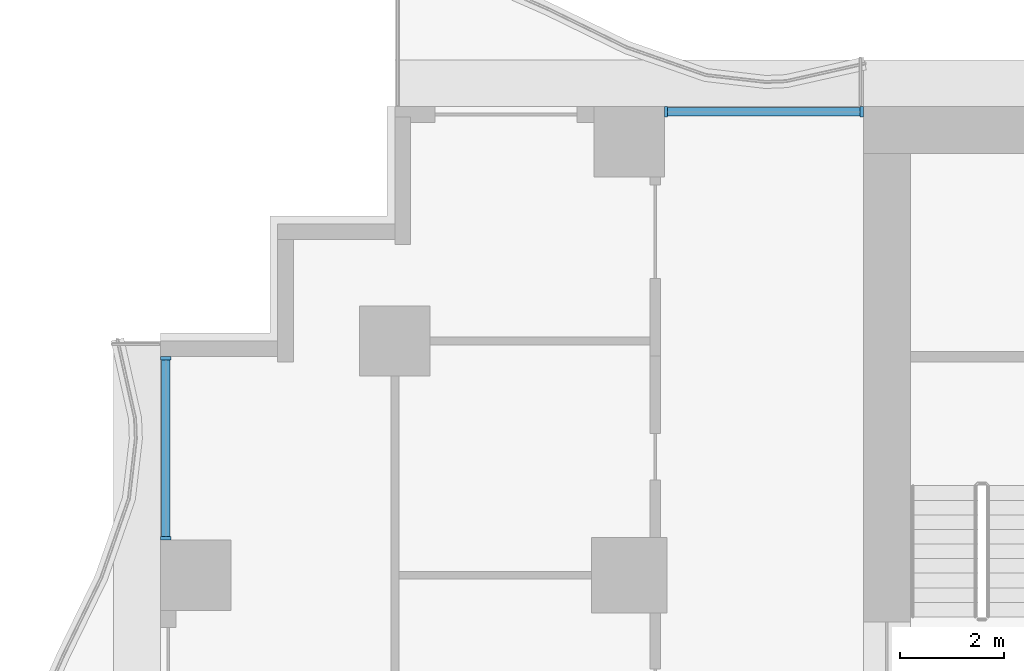
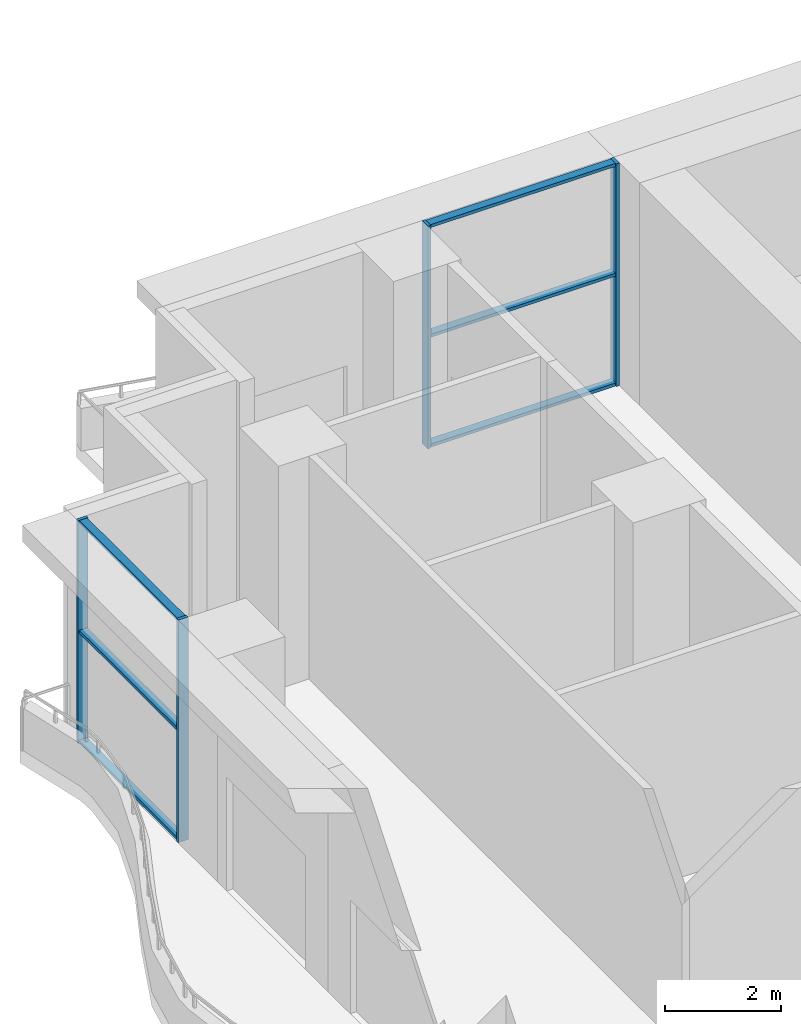
# One storey, part 4 of 18: 10 members, 2 elements without a shape of their own.
"""IFC4 building model written with IfcOpenShell, lengths in metres."""

from ifc_helpers import new_model, si_unit, direction, frame, origin, origin_2d, place, context, subcontext, project, spatial, rectangle, extrude, material, material_profile, profile_set, type_object, element, aggregate, save


model = new_model("IFC4")

# Units and contexts
model_context = context("Model", 3, precision=1e-05, world=origin(), true_north=direction((0.0, 1.0)))
body_context = subcontext(model_context, "Body", "Model", "MODEL_VIEW")
ifc_project = project(units=[si_unit("LENGTHUNIT", "METRE"), si_unit("AREAUNIT", "SQUARE_METRE"), si_unit("VOLUMEUNIT", "CUBIC_METRE"), si_unit("PLANEANGLEUNIT", "RADIAN"), si_unit("MASSUNIT", "GRAM", prefix="KILO")], contexts=[model_context])

# Site, building, storey
site_placement = place(None, origin())
site = spatial("IfcSite", under=ifc_project, at=site_placement, CompositionType="ELEMENT")
building_placement = place(site_placement, origin())
building = spatial("IfcBuilding", under=site, at=building_placement, Name="Orbiselva Terraces", CompositionType="ELEMENT")
storey_placement = place(building_placement, frame((0.0, 0.0, 64.4)))
storey = spatial("IfcBuildingStorey", under=building, at=storey_placement, Name="L16", CompositionType="ELEMENT", Elevation=64.4)

# Curtain wall, members
ifc_material_1 = material(Name="Clear low-e glazing in aluminium frame", Category="aluminium")
curtain_wall_type = type_object("IfcCurtainWallType", Name="ENV-CW-SKY", PredefinedType="NOTDEFINED", material=ifc_material_1)
curtain_wall_1_placement = place(storey_placement, origin())
curtain_wall_1 = element("IfcCurtainWall", 1, at=curtain_wall_1_placement, inside=storey, type_object=curtain_wall_type, Name="Curtain wall L16 NW", PredefinedType="NOTDEFINED")
ifc_material_2 = material(Name="Anodised aluminium", Category="aluminium")
ifc_material_profile_1 = material_profile(ifc_material_2, rectangle(XDim=0.2, YDim=0.065, at=origin_2d()), Name="AL 65x200")
ifc_profile_set_1 = profile_set([ifc_material_profile_1], Name="Anodised aluminium")
member_type_1 = type_object("IfcMemberType", Name="ENV-CW-SKY-MULLION-65x200", PredefinedType="MULLION", material=ifc_profile_set_1)
member_1_placement = place(storey_placement, frame((-13.5325, 22.4, 0.0), z_axis=(0.0, 0.0, 1.0), x_axis=(0.0, -1.0, 0.0)))
member_1 = element("IfcMember", 2, at=member_1_placement, type_object=member_type_1, Name="CW3 mullion 1", PredefinedType="MULLION", context=body_context, shape_type="SweptSolid", body=[
    extrude(rectangle(XDim=0.2, YDim=0.065, at=origin_2d()), origin(), (0.0, 0.0, 1.0), 4.7),
])
member_2_placement = place(storey_placement, frame((-17.2925, 22.4, 0.0), z_axis=(0.0, 0.0, 1.0), x_axis=(0.0, -1.0, 0.0)))
member_2 = element("IfcMember", 3, at=member_2_placement, type_object=member_type_1, Name="CW3 mullion 2", PredefinedType="MULLION", context=body_context, shape_type="SweptSolid", body=[
    extrude(rectangle(XDim=0.2, YDim=0.065, at=origin_2d()), origin(), (0.0, 0.0, 1.0), 4.7),
])

curtain_wall_2_placement = place(storey_placement, origin())
curtain_wall_2 = element("IfcCurtainWall", 4, at=curtain_wall_2_placement, inside=storey, type_object=curtain_wall_type, Name="Curtain wall L16 W", PredefinedType="NOTDEFINED")
member_3_placement = place(storey_placement, frame((-26.9, 17.6675, 0.0), z_axis=(0.0, 0.0, 1.0), x_axis=(1.0, 0.0, 0.0)))
member_3 = element("IfcMember", 5, at=member_3_placement, type_object=member_type_1, Name="CW3 mullion 1", PredefinedType="MULLION", context=body_context, shape_type="SweptSolid", body=[
    extrude(rectangle(XDim=0.2, YDim=0.065, at=origin_2d()), origin(), (0.0, 0.0, 1.0), 4.7),
])
member_4_placement = place(storey_placement, frame((-26.9, 14.2075, 0.0), z_axis=(0.0, 0.0, 1.0), x_axis=(1.0, 0.0, 0.0)))
member_4 = element("IfcMember", 6, at=member_4_placement, type_object=member_type_1, Name="CW3 mullion 2", PredefinedType="MULLION", context=body_context, shape_type="SweptSolid", body=[
    extrude(rectangle(XDim=0.2, YDim=0.065, at=origin_2d()), origin(), (0.0, 0.0, 1.0), 4.7),
])

# Member
ifc_material_profile_2 = material_profile(ifc_material_2, rectangle(XDim=0.16, YDim=0.065, at=origin_2d()), Name="AL 65x160")
ifc_profile_set_2 = profile_set([ifc_material_profile_2], Name="Anodised aluminium")
member_type_2 = type_object("IfcMemberType", Name="ENV-CW-SKY-TRANSOM-65x160", PredefinedType="USERDEFINED", material=ifc_profile_set_2)
member_5_placement = place(storey_placement, frame((-13.565, 22.4, 0.0325), z_axis=(-1.0, 0.0, 0.0), x_axis=(0.0, -1.0, 0.0)))
member_5 = element("IfcMember", 7, at=member_5_placement, type_object=member_type_2, Name="CW3 transom 1.1", ObjectType="TRANSOM", PredefinedType="USERDEFINED", context=body_context, shape_type="SweptSolid", body=[
    extrude(rectangle(XDim=0.16, YDim=0.065, at=origin_2d()), origin(), (0.0, 0.0, 1.0), 3.695),
])

member_6_placement = place(storey_placement, frame((-13.565, 22.4, 2.35), z_axis=(-1.0, 0.0, 0.0), x_axis=(0.0, -1.0, 0.0)))
member_6 = element("IfcMember", 8, at=member_6_placement, type_object=member_type_2, Name="CW3 transom 1.2", ObjectType="TRANSOM", PredefinedType="USERDEFINED", context=body_context, shape_type="SweptSolid", body=[
    extrude(rectangle(XDim=0.16, YDim=0.065, at=origin_2d()), origin(), (0.0, 0.0, 1.0), 3.695),
])

member_7_placement = place(storey_placement, frame((-13.565, 22.4, 4.6675), z_axis=(-1.0, 0.0, 0.0), x_axis=(0.0, -1.0, 0.0)))
member_7 = element("IfcMember", 9, at=member_7_placement, type_object=member_type_2, Name="CW3 transom 1.3", ObjectType="TRANSOM", PredefinedType="USERDEFINED", context=body_context, shape_type="SweptSolid", body=[
    extrude(rectangle(XDim=0.16, YDim=0.065, at=origin_2d()), origin(), (0.0, 0.0, 1.0), 3.695),
])

aggregate(curtain_wall_1, [member_1, member_2, member_5, member_6, member_7])

member_8_placement = place(storey_placement, frame((-26.9, 17.635, 0.0325), z_axis=(0.0, -1.0, 0.0), x_axis=(1.0, 0.0, 0.0)))
member_8 = element("IfcMember", 10, at=member_8_placement, type_object=member_type_2, Name="CW3 transom 1.1", ObjectType="TRANSOM", PredefinedType="USERDEFINED", context=body_context, shape_type="SweptSolid", body=[
    extrude(rectangle(XDim=0.16, YDim=0.065, at=origin_2d()), origin(), (0.0, 0.0, 1.0), 3.395),
])

member_9_placement = place(storey_placement, frame((-26.9, 17.635, 2.35), z_axis=(0.0, -1.0, 0.0), x_axis=(1.0, 0.0, 0.0)))
member_9 = element("IfcMember", 11, at=member_9_placement, type_object=member_type_2, Name="CW3 transom 1.2", ObjectType="TRANSOM", PredefinedType="USERDEFINED", context=body_context, shape_type="SweptSolid", body=[
    extrude(rectangle(XDim=0.16, YDim=0.065, at=origin_2d()), origin(), (0.0, 0.0, 1.0), 3.395),
])

member_10_placement = place(storey_placement, frame((-26.9, 17.635, 4.6675), z_axis=(0.0, -1.0, 0.0), x_axis=(1.0, 0.0, 0.0)))
member_10 = element("IfcMember", 12, at=member_10_placement, type_object=member_type_2, Name="CW3 transom 1.3", ObjectType="TRANSOM", PredefinedType="USERDEFINED", context=body_context, shape_type="SweptSolid", body=[
    extrude(rectangle(XDim=0.16, YDim=0.065, at=origin_2d()), origin(), (0.0, 0.0, 1.0), 3.395),
])

aggregate(curtain_wall_2, [member_3, member_4, member_8, member_9, member_10])

save(model, "model.ifc")
